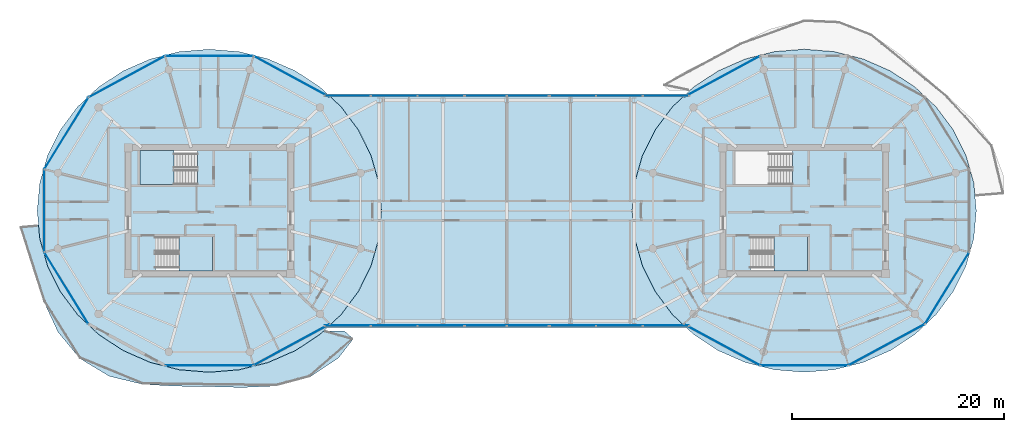
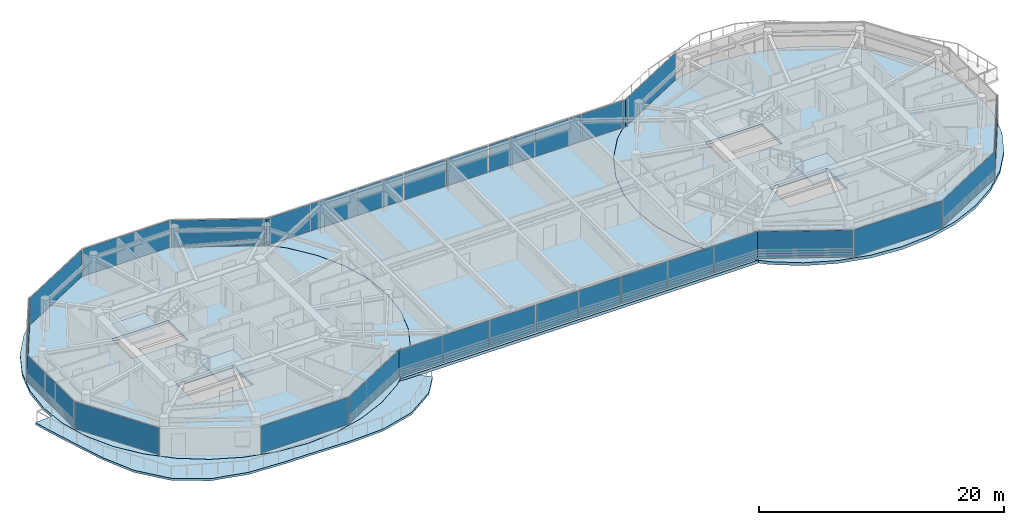
# One storey, part 12 of 23: 29 plates, 7 slabs, 22 elements without a shape of their own.
"""IFC4 building model written with IfcOpenShell, lengths in metres."""

import ifcopenshell
import ifcopenshell.guid

model = None  # the IFC model being written
_history = None  # IfcOwnerHistory: only IFC2X3 demands one
_inside = {}  # id of a spatial element -> (the spatial element, [elements in it])
_under = {}  # id of a project, library or spatial element -> (it, [spatial elements below it])
_declared = {}  # id of a project -> (the project, [libraries it declares])
_typed = {}  # id of a type object -> (the type object, [elements of that type])
_made_of = {}  # id of a material, layer set ... -> (it, [elements and type objects made of it])


def new_model(schema):
    """Start an empty IFC model of exactly this schema.

    Asked for "IFC4X3", IfcOpenShell would pick the latest addendum, in which some entities
    have other attributes; the version numbers below select the first issue.
    IFC2X3 requires an IfcOwnerHistory on every rooted entity: one is made here for all.
    """
    global model, _history
    if schema == "IFC4X3":
        model = ifcopenshell.file(schema_version=(4, 3, 0, 0))
    else:
        model = ifcopenshell.file(schema=schema)
    _inside.clear()
    _under.clear()
    _declared.clear()
    _typed.clear()
    _made_of.clear()
    _history = None
    if model.schema == "IFC2X3":
        org = make("IfcOrganization", Name="unknown")
        user = make(
            "IfcPersonAndOrganization",
            ThePerson=make("IfcPerson", FamilyName="unknown"),
            TheOrganization=org,
        )
        app = make(
            "IfcApplication",
            ApplicationDeveloper=org,
            Version="unknown",
            ApplicationFullName="unknown",
            ApplicationIdentifier="unknown",
        )
        _history = make(
            "IfcOwnerHistory",
            OwningUser=user,
            OwningApplication=app,
            ChangeAction="ADDED",
            CreationDate=0,
        )
    return model


def make(cls, **values):
    """One entity of the class cls with the attributes given. An attribute that is None is left unset."""
    return model.create_entity(
        cls, **{name: value for name, value in values.items() if value is not None}
    )


def rooted(cls, **values):
    """An entity with a GlobalId (a new one), such as an element, a storey or a relation."""
    return make(cls, GlobalId=ifcopenshell.guid.new(), OwnerHistory=_history, **values)


def si_unit(unit_type, name, prefix=None):
    """IfcSIUnit, for example si_unit("LENGTHUNIT", "METRE", prefix="MILLI")."""
    return make("IfcSIUnit", UnitType=unit_type, Prefix=prefix, Name=name)


def assignment(units):
    """IfcUnitAssignment: the units of a project."""
    return None if units is None else make("IfcUnitAssignment", Units=units)


def point(xyz):
    """IfcCartesianPoint."""
    return None if xyz is None else make("IfcCartesianPoint", Coordinates=xyz)


def direction(xyz):
    """IfcDirection."""
    return None if xyz is None else make("IfcDirection", DirectionRatios=xyz)


def frame(location, z_axis=None, x_axis=None):
    """IfcAxis2Placement3D, a coordinate frame: its origin and axes. An axis left out is left unset."""
    return make(
        "IfcAxis2Placement3D",
        Location=point(location),
        Axis=direction(z_axis),
        RefDirection=direction(x_axis),
    )


def frame_2d(location, x_axis=None):
    """IfcAxis2Placement2D, a coordinate frame in the plane: its origin and x axis."""
    return make(
        "IfcAxis2Placement2D", Location=point(location), RefDirection=direction(x_axis)
    )


def origin():
    """The frame at (0, 0, 0) with its axes left unset."""
    return frame((0.0, 0.0, 0.0))


def origin_2d():
    """The frame at (0, 0) in the plane with its x axis left unset."""
    return frame_2d((0.0, 0.0))


def place(relative_to, where):
    """IfcLocalPlacement: puts the frame where relative to a parent placement (None: the world)."""
    return make(
        "IfcLocalPlacement", PlacementRelTo=relative_to, RelativePlacement=where
    )


def context(
    kind, dimensions, precision=None, world=None, true_north=None, identifier=None
):
    """IfcGeometricRepresentationContext, for example the 3D "Model" context."""
    return make(
        "IfcGeometricRepresentationContext",
        ContextIdentifier=identifier,
        ContextType=kind,
        CoordinateSpaceDimension=dimensions,
        Precision=precision,
        WorldCoordinateSystem=world,
        TrueNorth=true_north,
    )


def subcontext(parent, identifier, kind, view, scale=None):
    """IfcGeometricRepresentationSubContext, for example "Body" below "Model"."""
    return make(
        "IfcGeometricRepresentationSubContext",
        ContextIdentifier=identifier,
        ContextType=kind,
        ParentContext=parent,
        TargetScale=scale,
        TargetView=view,
    )


def project(units=None, contexts=None):
    """IfcProject with its units and contexts."""
    return rooted(
        "IfcProject",
        Name="project",
        RepresentationContexts=contexts,
        UnitsInContext=assignment(units),
    )


def spatial(cls, under=None, at=None, **own):
    """A site, building, storey or space (cls), placed at a placement, below another one or the project."""
    s = rooted(cls, ObjectPlacement=at, **own)
    if under is not None:
        _under.setdefault(under.id(), (under, []))[1].append(s)
    return s


def polyline(points):
    """IfcPolyline through the points."""
    return make("IfcPolyline", Points=[point(p) for p in points])


def profile(cls, at=None, kind="AREA", **sizes):
    """A parametric profile (cls). Its sizes go by their IFC names, for example OverallWidth=200.0."""
    return make(cls, ProfileType=kind, Position=at, **sizes)


def rectangle(**sizes):
    """IfcRectangleProfileDef."""
    return profile("IfcRectangleProfileDef", **sizes)


def outline(outer, holes=None, kind="AREA"):
    """IfcArbitraryClosedProfileDef: a profile drawn as a closed curve; with holes, ...WithVoids."""
    if holes is None:
        return make("IfcArbitraryClosedProfileDef", ProfileType=kind, OuterCurve=outer)
    return make(
        "IfcArbitraryProfileDefWithVoids",
        ProfileType=kind,
        OuterCurve=outer,
        InnerCurves=holes,
    )


def extrude(swept, where, along, depth):
    """IfcExtrudedAreaSolid: the profile swept, set in the frame where, extruded along a direction by depth."""
    return make(
        "IfcExtrudedAreaSolid",
        SweptArea=swept,
        Position=where,
        ExtrudedDirection=direction(along),
        Depth=depth,
    )


def shape(context_of_items, identifier, shape_type, items):
    """IfcShapeRepresentation: the items that make up one representation, for example the "Body"."""
    return make(
        "IfcShapeRepresentation",
        ContextOfItems=context_of_items,
        RepresentationIdentifier=identifier,
        RepresentationType=shape_type,
        Items=items,
    )


def source(mapping_origin, context_of_items, identifier, shape_type, items):
    """IfcRepresentationMap: a shape defined once, which mapped items show again and again."""
    return make(
        "IfcRepresentationMap",
        MappingOrigin=mapping_origin,
        MappedRepresentation=shape(context_of_items, identifier, shape_type, items),
    )


def transform(
    local_origin,
    x_axis=None,
    y_axis=None,
    z_axis=None,
    scale=None,
    scale2=None,
    scale3=None,
    uniform=True,
):
    """IfcCartesianTransformationOperator3D, or its non-uniform kind. x_axis, y_axis, z_axis: its Axis1, 2, 3."""
    if uniform:
        return make(
            "IfcCartesianTransformationOperator3D",
            Axis1=direction(x_axis),
            Axis2=direction(y_axis),
            LocalOrigin=point(local_origin),
            Scale=scale,
            Axis3=direction(z_axis),
        )
    return make(
        "IfcCartesianTransformationOperator3DnonUniform",
        Axis1=direction(x_axis),
        Axis2=direction(y_axis),
        LocalOrigin=point(local_origin),
        Scale=scale,
        Axis3=direction(z_axis),
        Scale2=scale2,
        Scale3=scale3,
    )


def mapped(mapping_source, mapping_target):
    """IfcMappedItem: shows the shape of a source again, moved by a transform."""
    return make(
        "IfcMappedItem", MappingSource=mapping_source, MappingTarget=mapping_target
    )


def material(Name=None, Category=None):
    """IfcMaterial."""
    return make("IfcMaterial", Name=Name, Category=Category)


def layer(
    of_material, thickness, ventilated=None, Name=None, Category=None, Priority=None
):
    """IfcMaterialLayer: one layer of a wall or slab, of a material (None: an air gap)."""
    return make(
        "IfcMaterialLayer",
        Material=of_material,
        LayerThickness=thickness,
        IsVentilated=ventilated,
        Name=Name,
        Category=Category,
        Priority=Priority,
    )


def layer_set(layers, Name=None):
    """IfcMaterialLayerSet."""
    return make("IfcMaterialLayerSet", MaterialLayers=layers, LayerSetName=Name)


def made_of(thing, what):
    """Note that an element or type object is made of a material, layer set ...; save() writes the relation."""
    if what is not None:
        _made_of.setdefault(what.id(), (what, []))[1].append(thing)
    return thing


def type_object(cls, material=None, **own):
    """A type object (cls), such as IfcWallType, which elements share."""
    return made_of(rooted(cls, **own), material)


def type_shapes(of_type, sources):
    """Give a type object the sources (RepresentationMaps) that its elements show as mapped items."""
    of_type.RepresentationMaps = sources


def element(
    cls,
    number,
    at=None,
    inside=None,
    cuts=None,
    type_object=None,
    material=None,
    context=None,
    identifier="Body",
    shape_type=None,
    held_by="IfcProductDefinitionShape",
    body=None,
    shapes=None,
    **own,
):
    """One element of the class cls, such as IfcWall. Its Tag is "e" and its number.

    at: its placement. inside: the storey or other place that contains it. cuts: it is an
    opening in that element (IfcRelVoidsElement). A single representation is given by context,
    identifier, shape_type and body (its items); several are given by shapes. held_by: the class
    of the entity that holds the representations. save() writes the other relations.
    """
    e = rooted(cls, Tag="e%d" % number, ObjectPlacement=at, **own)
    if body is not None:
        shapes = [shape(context, identifier, shape_type, body)]
    if shapes is not None:
        e.Representation = make(held_by, Representations=shapes)
    if inside is not None:
        _inside.setdefault(inside.id(), (inside, []))[1].append(e)
    if cuts is not None:
        rooted(
            "IfcRelVoidsElement", RelatingBuildingElement=cuts, RelatedOpeningElement=e
        )
    if type_object is not None:
        _typed.setdefault(type_object.id(), (type_object, []))[1].append(e)
    return made_of(e, material)


def aggregate(whole, parts):
    """IfcRelAggregates: a whole, such as a stair, and the parts it consists of."""
    return rooted("IfcRelAggregates", RelatingObject=whole, RelatedObjects=parts)


def save(model, path):
    """Write the relations noted so far, then the file.

    IfcRelAggregates (storeys below a building ...), IfcRelContainedInSpatialStructure (elements
    in a storey), IfcRelDefinesByType, IfcRelAssociatesMaterial and IfcRelDeclares: one each for
    every whole, place, type object, material and project.
    """
    for whole, parts in _under.values():
        aggregate(whole, parts)
    for where, things in _inside.values():
        rooted(
            "IfcRelContainedInSpatialStructure",
            RelatedElements=things,
            RelatingStructure=where,
        )
    for kind, things in _typed.values():
        rooted("IfcRelDefinesByType", RelatedObjects=things, RelatingType=kind)
    for what, things in _made_of.values():
        rooted("IfcRelAssociatesMaterial", RelatedObjects=things, RelatingMaterial=what)
    for by, libraries in _declared.values():
        rooted("IfcRelDeclares", RelatingContext=by, RelatedDefinitions=libraries)
    model.write(path)


model = new_model("IFC4")

# Units and contexts
model_context = context("Model", 3, precision=1e-05, world=origin(), true_north=direction((0.0, 1.0)))
body_context = subcontext(model_context, "Body", "Model", "MODEL_VIEW")
ifc_project = project(units=[si_unit("LENGTHUNIT", "METRE"), si_unit("AREAUNIT", "SQUARE_METRE"), si_unit("VOLUMEUNIT", "CUBIC_METRE"), si_unit("PLANEANGLEUNIT", "RADIAN"), si_unit("MASSUNIT", "GRAM", prefix="KILO")], contexts=[model_context])

# Site, building, storey
site_placement = place(None, origin())
site = spatial("IfcSite", under=ifc_project, at=site_placement, CompositionType="ELEMENT")
building_placement = place(site_placement, origin())
building = spatial("IfcBuilding", under=site, at=building_placement, Name="Norrkilde Senior Care Towers", CompositionType="ELEMENT")
storey_placement = place(building_placement, frame((0.0, 0.0, 229.14990234375)))
storey = spatial("IfcBuildingStorey", under=building, at=storey_placement, Name="L71", CompositionType="ELEMENT", Elevation=229.14990234375)

# Slabs
ifc_material_1 = material(Name="Concrete C50/60", Category="concrete")
ifc_layer_1 = layer(ifc_material_1, 0.2900390625)
ifc_layer_set_1 = layer_set([ifc_layer_1], Name="Concrete C50/60")
slab_type_1 = type_object("IfcSlabType", Name="Bridge Floor Slab 290", PredefinedType="FLOOR", material=ifc_layer_set_1)
slab_1_placement = place(storey_placement, frame((0.0, 0.0, -0.289794921875)))
element("IfcSlab", 1, at=slab_1_placement, inside=storey, type_object=slab_type_1, Name="L71 Drum W Structural Floor Slab", PredefinedType="FLOOR", context=body_context, shape_type="SweptSolid", body=[
    extrude(outline(polyline([(-12.777099609375, -5.19873046875), (-13.970458984375, -7.60009765625), (-15.590087890625, -9.770263671875), (-17.5869140625, -11.643798828125), (-19.89990234375, -13.16357421875), (-22.459228515625, -14.283447265625), (-25.18701171875, -14.968994140625), (-28.0, -15.199951171875), (-30.81298828125, -14.968994140625), (-33.540771484375, -14.283447265625), (-36.10009765625, -13.16357421875), (-38.4130859375, -11.643798828125), (-40.409912109375, -9.770263671875), (-42.029541015625, -7.60009765625), (-43.222900390625, -5.19873046875), (-43.953857421875, -2.639404296875), (-44.199951171875, 0.0), (-43.953857421875, 2.639404296875), (-43.222900390625, 5.19873046875), (-42.029541015625, 7.60009765625), (-40.409912109375, 9.770263671875), (-38.4130859375, 11.643798828125), (-36.10009765625, 13.16357421875), (-33.540771484375, 14.283447265625), (-30.81298828125, 14.968994140625), (-28.0, 15.199951171875), (-25.18701171875, 14.968994140625), (-22.459228515625, 14.283447265625), (-19.89990234375, 13.16357421875), (-17.5869140625, 11.643798828125), (-15.590087890625, 9.770263671875), (-13.970458984375, 7.60009765625), (-12.777099609375, 5.19873046875), (-12.046142578125, 2.639404296875), (-11.800048828125, 0.0), (-12.046142578125, -2.639404296875), (-12.777099609375, -5.19873046875)]), holes=[polyline([(-34.48193359375, 2.468017578125), (-29.117919921875, 2.468017578125), (-29.117919921875, 5.68994140625), (-34.48193359375, 5.68994140625), (-34.48193359375, 2.468017578125)]), polyline([(-27.718017578125, -5.68994140625), (-27.718017578125, -2.468017578125), (-33.08203125, -2.468017578125), (-33.08203125, -5.68994140625), (-27.718017578125, -5.68994140625)])]), origin(), (0.0, 0.0, 1.0), 0.289794921875),
])
slab_2_placement = place(storey_placement, frame((0.0, 0.0, -0.289794921875)))
element("IfcSlab", 2, at=slab_2_placement, inside=storey, type_object=slab_type_1, Name="L71 Drum E Structural Floor Slab", PredefinedType="FLOOR", context=body_context, shape_type="SweptSolid", body=[
    extrude(outline(polyline([(43.222900390625, -5.19873046875), (42.029541015625, -7.60009765625), (40.409912109375, -9.770263671875), (38.4130859375, -11.643798828125), (36.10009765625, -13.16357421875), (33.540771484375, -14.283447265625), (30.81298828125, -14.968994140625), (28.0, -15.199951171875), (25.18701171875, -14.968994140625), (22.459228515625, -14.283447265625), (19.89990234375, -13.16357421875), (17.5869140625, -11.643798828125), (15.590087890625, -9.770263671875), (13.970458984375, -7.60009765625), (12.777099609375, -5.19873046875), (12.046142578125, -2.639404296875), (11.800048828125, 0.0), (12.046142578125, 2.639404296875), (12.777099609375, 5.19873046875), (13.970458984375, 7.60009765625), (15.590087890625, 9.770263671875), (17.5869140625, 11.643798828125), (19.89990234375, 13.16357421875), (22.459228515625, 14.283447265625), (25.18701171875, 14.968994140625), (28.0, 15.199951171875), (30.81298828125, 14.968994140625), (33.540771484375, 14.283447265625), (36.10009765625, 13.16357421875), (38.4130859375, 11.643798828125), (40.409912109375, 9.770263671875), (42.029541015625, 7.60009765625), (43.222900390625, 5.19873046875), (43.953857421875, 2.639404296875), (44.199951171875, 0.0), (43.953857421875, -2.639404296875), (43.222900390625, -5.19873046875)]), holes=[polyline([(21.51806640625, 2.468017578125), (26.882080078125, 2.468017578125), (26.882080078125, 5.68994140625), (21.51806640625, 5.68994140625), (21.51806640625, 2.468017578125)]), polyline([(28.281982421875, -5.68994140625), (28.281982421875, -2.468017578125), (22.91796875, -2.468017578125), (22.91796875, -5.68994140625), (28.281982421875, -5.68994140625)])]), origin(), (0.0, 0.0, 1.0), 0.289794921875),
])
slab_3_placement = place(storey_placement, frame((0.0, 0.0, -0.289794921875)))
element("IfcSlab", 3, at=slab_3_placement, inside=storey, type_object=slab_type_1, Name="L71 Sky-Gate Bridge Floor Slab", PredefinedType="FLOOR", context=body_context, shape_type="SweptSolid", body=[
    extrude(outline(polyline([(16.893310546875, 11.0), (15.586669921875, 9.77392578125), (15.58642578125, 9.773681640625), (15.586181640625, 9.7734375), (13.96630859375, 7.60302734375), (13.966064453125, 7.6025390625), (13.9658203125, 7.602294921875), (12.7724609375, 5.200927734375), (12.772216796875, 5.200439453125), (12.772216796875, 5.2001953125), (12.041259765625, 2.640869140625), (12.041259765625, 2.640380859375), (12.041015625, 2.639892578125), (11.794921875, 0.00048828125), (11.794921875, 0.0), (11.794921875, -0.00048828125), (12.041015625, -2.639892578125), (12.041259765625, -2.640380859375), (12.041259765625, -2.640869140625), (12.772216796875, -5.2001953125), (12.772216796875, -5.200439453125), (12.7724609375, -5.200927734375), (13.9658203125, -7.602294921875), (13.966064453125, -7.6025390625), (13.96630859375, -7.60302734375), (15.586181640625, -9.7734375), (15.58642578125, -9.773681640625), (15.586669921875, -9.77392578125), (16.893310546875, -11.0), (-16.893310546875, -11.0), (-15.586669921875, -9.77392578125), (-15.58642578125, -9.773681640625), (-15.586181640625, -9.7734375), (-13.96630859375, -7.60302734375), (-13.966064453125, -7.6025390625), (-13.9658203125, -7.602294921875), (-12.7724609375, -5.200927734375), (-12.772216796875, -5.200439453125), (-12.772216796875, -5.2001953125), (-12.041259765625, -2.640869140625), (-12.041259765625, -2.640380859375), (-12.041015625, -2.639892578125), (-11.794921875, -0.00048828125), (-11.794921875, 0.0), (-11.794921875, 0.00048828125), (-12.041015625, 2.639892578125), (-12.041259765625, 2.640380859375), (-12.041259765625, 2.640869140625), (-12.772216796875, 5.2001953125), (-12.772216796875, 5.200439453125), (-12.7724609375, 5.200927734375), (-13.9658203125, 7.602294921875), (-13.966064453125, 7.6025390625), (-13.96630859375, 7.60302734375), (-15.586181640625, 9.7734375), (-15.58642578125, 9.773681640625), (-15.586669921875, 9.77392578125), (-16.893310546875, 11.0), (16.893310546875, 11.0)])), origin(), (0.0, 0.0, 1.0), 0.289794921875),
])
ifc_layer_2 = layer(ifc_material_1, 0.215087890625)
ifc_layer_set_2 = layer_set([ifc_layer_2], Name="Concrete C50/60")
slab_type_2 = type_object("IfcSlabType", Name="Sinusoidal Balcony Ribbon Slab 215", PredefinedType="FLOOR", material=ifc_layer_set_2)
slab_4_placement = place(storey_placement, frame((0.0, 0.0, -0.21484375)))
element("IfcSlab", 4, at=slab_4_placement, inside=storey, type_object=slab_type_2, Name="L71 Drum W Swirling Senior Balcony 1", PredefinedType="FLOOR", context=body_context, shape_type="SweptSolid", body=[
    extrude(outline(polyline([(-21.703369140625, -16.496337890625), (-24.910888671875, -16.637939453125), (-28.0, -16.55419921875), (-31.06884765625, -16.515625), (-34.244873046875, -16.345458984375), (-37.410888671875, -15.583251953125), (-40.19287109375, -13.904296875), (-42.2470703125, -11.413330078125), (-43.571044921875, -8.54833984375), (-44.509521484375, -5.69775390625), (-45.410888671875, -2.913330078125), (-45.818359375, -1.48876953125), (-44.079833984375, -1.343505859375), (-43.958740234375, -2.640380859375), (-43.227783203125, -5.200439453125), (-42.033935546875, -7.6025390625), (-40.413818359375, -9.773681640625), (-38.416259765625, -11.647705078125), (-36.1025390625, -13.16796875), (-33.54248046875, -14.2880859375), (-30.81396484375, -14.97412109375), (-28.0, -15.205078125), (-25.18603515625, -14.97412109375), (-22.45751953125, -14.2880859375), (-19.8974609375, -13.16796875), (-17.583740234375, -11.647705078125), (-17.213134765625, -11.300048828125), (-15.310546875, -11.300048828125), (-14.45068359375, -12.06591796875), (-15.841552734375, -13.86083984375), (-18.550537109375, -15.654541015625), (-21.703369140625, -16.496337890625)])), origin(), (0.0, 0.0, 1.0), 0.21484375),
])

# Stair, slab
ifc_material_2 = material(Name="Concrete C45/55", Category="concrete")
stair_type = type_object("IfcStairType", Name="Core Protected Dogleg Stair Typical 3050", PredefinedType="HALF_TURN_STAIR", material=ifc_material_2)
stair_1_placement = place(storey_placement, origin())
stair_1 = element("IfcStair", 5, at=stair_1_placement, inside=storey, type_object=stair_type, Name="L71 Protected Core Stair W1", PredefinedType="HALF_TURN_STAIR")
ifc_layer_3 = layer(ifc_material_2, 0.199951171875)
ifc_layer_set_3 = layer_set([ifc_layer_3], Name="Concrete C45/55")
slab_type_3 = type_object("IfcSlabType", Name="Stair Landing Slab 200", PredefinedType="LANDING", material=ifc_layer_set_3)
slab_5_placement = place(storey_placement, frame((0.0, 0.0, 1.3251953125)))
slab_5 = element("IfcSlab", 6, at=slab_5_placement, type_object=slab_type_3, Name="ST-W1 landing 1", PredefinedType="LANDING", context=body_context, shape_type="SweptSolid", body=[
    extrude(outline(polyline([(-31.340087890625, 5.68994140625), (-34.5, 5.68994140625), (-34.5, 2.449951171875), (-31.340087890625, 2.449951171875), (-31.340087890625, 5.68994140625)])), origin(), (0.0, 0.0, 1.0), 0.199951171875),
])
aggregate(stair_1, [slab_5])

stair_2_placement = place(storey_placement, origin())
stair_2 = element("IfcStair", 7, at=stair_2_placement, inside=storey, type_object=stair_type, Name="L71 Protected Core Stair W2", PredefinedType="HALF_TURN_STAIR")
slab_6_placement = place(storey_placement, frame((0.0, 0.0, 1.3251953125)))
slab_6 = element("IfcSlab", 8, at=slab_6_placement, type_object=slab_type_3, Name="ST-W2 landing 1", PredefinedType="LANDING", context=body_context, shape_type="SweptSolid", body=[
    extrude(outline(polyline([(-30.860107421875, -5.68994140625), (-27.699951171875, -5.68994140625), (-27.699951171875, -2.449951171875), (-30.860107421875, -2.449951171875), (-30.860107421875, -5.68994140625)])), origin(), (0.0, 0.0, 1.0), 0.199951171875),
])
aggregate(stair_2, [slab_6])

stair_3_placement = place(storey_placement, origin())
stair_3 = element("IfcStair", 9, at=stair_3_placement, inside=storey, type_object=stair_type, Name="L71 Protected Core Stair E2", PredefinedType="HALF_TURN_STAIR")
slab_7_placement = place(storey_placement, frame((0.0, 0.0, 1.3251953125)))
slab_7 = element("IfcSlab", 10, at=slab_7_placement, type_object=slab_type_3, Name="ST-E2 landing 1", PredefinedType="LANDING", context=body_context, shape_type="SweptSolid", body=[
    extrude(outline(polyline([(25.139892578125, -5.68994140625), (28.300048828125, -5.68994140625), (28.300048828125, -2.449951171875), (25.139892578125, -2.449951171875), (25.139892578125, -5.68994140625)])), origin(), (0.0, 0.0, 1.0), 0.199951171875),
])
aggregate(stair_3, [slab_7])

# Curtain wall, plate
ifc_material_3 = material(Name="Triple Low-E Insulated Glazing", Category="glass")
ifc_layer_4 = layer(ifc_material_3, 0.18505859375)
ifc_layer_set_4 = layer_set([ifc_layer_4], Name="Triple Low-E Insulated Glazing")
curtain_wall_type_1 = type_object("IfcCurtainWallType", Name="CW6 Zone 4 Crown Pavilion Curtain Wall", PredefinedType="NOTDEFINED", material=ifc_layer_set_4)
curtain_wall_1_placement = place(storey_placement, origin())
curtain_wall_1 = element("IfcCurtainWall", 11, at=curtain_wall_1_placement, inside=storey, type_object=curtain_wall_type_1, Name="L71 Drum W Curtain Wall 04", PredefinedType="NOTDEFINED")
ifc_layer_5 = layer(ifc_material_3, 0.035888671875)
ifc_layer_set_5 = layer_set([ifc_layer_5], Name="Triple Low-E Insulated Glazing")
plate_type = type_object("IfcPlateType", Name="Triple Low-E Vision Curtain Panel 36", PredefinedType="CURTAIN_PANEL", material=ifc_layer_set_5)
shared_shape_1 = source(origin(), body_context, "Body", "SweptSolid", [
    extrude(rectangle(XDim=7.80859375, YDim=0.035888671875, at=origin_2d()), origin(), (0.0, 0.0, 1.0), 2.68994140625),
])
plate_1_placement = place(storey_placement, frame((-41.451171875, 7.282958984375, 0.06005859375), z_axis=(0.0, 0.0, 1.0), x_axis=(0.524252726748, 0.851562727283, 0.0)))
plate_1 = element("IfcPlate", 12, at=plate_1_placement, type_object=plate_type, Name="CW-6 panel 1.1", PredefinedType="CURTAIN_PANEL", context=body_context, shape_type="MappedRepresentation", body=[
    mapped(shared_shape_1, transform((0.0, 0.0, 0.0), x_axis=(1.0, 0.0, 0.0), y_axis=(0.0, 1.0, 0.0), z_axis=(0.0, 0.0, 1.0), scale=1.0)),
])
aggregate(curtain_wall_1, [plate_1])

curtain_wall_2_placement = place(storey_placement, origin())
curtain_wall_2 = element("IfcCurtainWall", 13, at=curtain_wall_2_placement, inside=storey, type_object=curtain_wall_type_1, Name="L71 Drum W Curtain Wall 06", PredefinedType="NOTDEFINED")
plate_2_placement = place(storey_placement, frame((-41.451171875, -7.282958984375, 0.06005859375), z_axis=(0.0, 0.0, 1.0), x_axis=(-0.524252726748, 0.851562727283, 0.0)))
plate_2 = element("IfcPlate", 14, at=plate_2_placement, type_object=plate_type, Name="CW-6 panel 1.1", PredefinedType="CURTAIN_PANEL", context=body_context, shape_type="MappedRepresentation", body=[
    mapped(shared_shape_1, transform((0.0, 0.0, 0.0), x_axis=(1.0, 0.0, 0.0), y_axis=(0.0, 1.0, 0.0), z_axis=(0.0, 0.0, 1.0), scale=1.0)),
])
aggregate(curtain_wall_2, [plate_2])

curtain_wall_3_placement = place(storey_placement, origin())
curtain_wall_3 = element("IfcCurtainWall", 15, at=curtain_wall_3_placement, inside=storey, type_object=curtain_wall_type_1, Name="L71 Drum E Curtain Wall 10", PredefinedType="NOTDEFINED")
plate_3_placement = place(storey_placement, frame((41.451171875, -7.282958984375, 0.06005859375), z_axis=(0.0, 0.0, 1.0), x_axis=(-0.524252726748, -0.851562727283, 0.0)))
plate_3 = element("IfcPlate", 16, at=plate_3_placement, type_object=plate_type, Name="CW-6 panel 1.1", PredefinedType="CURTAIN_PANEL", context=body_context, shape_type="MappedRepresentation", body=[
    mapped(shared_shape_1, transform((0.0, 0.0, 0.0), x_axis=(1.0, 0.0, 0.0), y_axis=(0.0, 1.0, 0.0), z_axis=(0.0, 0.0, 1.0), scale=1.0)),
])
aggregate(curtain_wall_3, [plate_3])

curtain_wall_4_placement = place(storey_placement, origin())
curtain_wall_4 = element("IfcCurtainWall", 17, at=curtain_wall_4_placement, inside=storey, type_object=curtain_wall_type_1, Name="L71 Drum W Curtain Wall 02", PredefinedType="NOTDEFINED")
shared_shape_2 = source(origin(), body_context, "Body", "SweptSolid", [
    extrude(rectangle(XDim=8.193603515625, YDim=0.035888671875, at=origin_2d()), origin(), (0.0, 0.0, 1.0), 2.68994140625),
])
plate_4_placement = place(storey_placement, frame((-28.0, 14.566162109375, 0.06005859375), z_axis=(0.0, 0.0, 1.0), x_axis=(1.0, 0.0, 0.0)))
plate_4 = element("IfcPlate", 18, at=plate_4_placement, type_object=plate_type, Name="CW-6 panel 1.1", PredefinedType="CURTAIN_PANEL", context=body_context, shape_type="MappedRepresentation", body=[
    mapped(shared_shape_2, transform((0.0, 0.0, 0.0), x_axis=(1.0, 0.0, 0.0), y_axis=(0.0, 1.0, 0.0), z_axis=(0.0, 0.0, 1.0), scale=1.0)),
])
aggregate(curtain_wall_4, [plate_4])

curtain_wall_5_placement = place(storey_placement, origin())
curtain_wall_5 = element("IfcCurtainWall", 19, at=curtain_wall_5_placement, inside=storey, type_object=curtain_wall_type_1, Name="L71 Drum W Curtain Wall 08", PredefinedType="NOTDEFINED")
plate_5_placement = place(storey_placement, frame((-28.0, -14.566162109375, 0.06005859375), z_axis=(0.0, 0.0, 1.0), x_axis=(-1.0, 0.0, 0.0)))
plate_5 = element("IfcPlate", 20, at=plate_5_placement, type_object=plate_type, Name="CW-6 panel 1.1", PredefinedType="CURTAIN_PANEL", context=body_context, shape_type="MappedRepresentation", body=[
    mapped(shared_shape_2, transform((0.0, 0.0, 0.0), x_axis=(1.0, 0.0, 0.0), y_axis=(0.0, 1.0, 0.0), z_axis=(0.0, 0.0, 1.0), scale=1.0)),
])
aggregate(curtain_wall_5, [plate_5])

curtain_wall_6_placement = place(storey_placement, origin())
curtain_wall_6 = element("IfcCurtainWall", 21, at=curtain_wall_6_placement, inside=storey, type_object=curtain_wall_type_1, Name="L71 Drum E Curtain Wall 08", PredefinedType="NOTDEFINED")
plate_6_placement = place(storey_placement, frame((28.0, -14.566162109375, 0.06005859375), z_axis=(0.0, 0.0, 1.0), x_axis=(-1.0, 0.0, 0.0)))
plate_6 = element("IfcPlate", 22, at=plate_6_placement, type_object=plate_type, Name="CW-6 panel 1.1", PredefinedType="CURTAIN_PANEL", context=body_context, shape_type="MappedRepresentation", body=[
    mapped(shared_shape_2, transform((0.0, 0.0, 0.0), x_axis=(1.0, 0.0, 0.0), y_axis=(0.0, 1.0, 0.0), z_axis=(0.0, 0.0, 1.0), scale=1.0)),
])
aggregate(curtain_wall_6, [plate_6])

curtain_wall_7_placement = place(storey_placement, origin())
curtain_wall_7 = element("IfcCurtainWall", 23, at=curtain_wall_7_placement, inside=storey, type_object=curtain_wall_type_1, Name="L71 Drum W Curtain Wall 01", PredefinedType="NOTDEFINED")
shared_shape_3 = source(origin(), body_context, "Body", "SweptSolid", [
    extrude(rectangle(XDim=8.0673828125, YDim=0.035888671875, at=origin_2d()), origin(), (0.0, 0.0, 1.0), 2.68994140625),
])
plate_7_placement = place(storey_placement, frame((-20.23388671875, 12.61474609375, 0.06005859375), z_axis=(0.0, 0.0, 1.0), x_axis=(0.879373455772, -0.476132676136, 0.0)))
plate_7 = element("IfcPlate", 24, at=plate_7_placement, type_object=plate_type, Name="CW-6 panel 1.1", PredefinedType="CURTAIN_PANEL", context=body_context, shape_type="MappedRepresentation", body=[
    mapped(shared_shape_3, transform((0.0, 0.0, 0.0), x_axis=(1.0, 0.0, 0.0), y_axis=(0.0, 1.0, 0.0), z_axis=(0.0, 0.0, 1.0), scale=1.0)),
])
aggregate(curtain_wall_7, [plate_7])

curtain_wall_8_placement = place(storey_placement, origin())
curtain_wall_8 = element("IfcCurtainWall", 25, at=curtain_wall_8_placement, inside=storey, type_object=curtain_wall_type_1, Name="L71 Drum W Curtain Wall 03", PredefinedType="NOTDEFINED")
plate_8_placement = place(storey_placement, frame((-35.76611328125, 12.61474609375, 0.06005859375), z_axis=(0.0, 0.0, 1.0), x_axis=(0.879373455772, 0.476132676136, 0.0)))
plate_8 = element("IfcPlate", 26, at=plate_8_placement, type_object=plate_type, Name="CW-6 panel 1.1", PredefinedType="CURTAIN_PANEL", context=body_context, shape_type="MappedRepresentation", body=[
    mapped(shared_shape_3, transform((0.0, 0.0, 0.0), x_axis=(1.0, 0.0, 0.0), y_axis=(0.0, 1.0, 0.0), z_axis=(0.0, 0.0, 1.0), scale=1.0)),
])
aggregate(curtain_wall_8, [plate_8])

curtain_wall_9_placement = place(storey_placement, origin())
curtain_wall_9 = element("IfcCurtainWall", 27, at=curtain_wall_9_placement, inside=storey, type_object=curtain_wall_type_1, Name="L71 Drum W Curtain Wall 09", PredefinedType="NOTDEFINED")
plate_9_placement = place(storey_placement, frame((-20.23388671875, -12.61474609375, 0.06005859375), z_axis=(0.0, 0.0, 1.0), x_axis=(-0.879373455772, -0.476132676136, 0.0)))
plate_9 = element("IfcPlate", 28, at=plate_9_placement, type_object=plate_type, Name="CW-6 panel 1.1", PredefinedType="CURTAIN_PANEL", context=body_context, shape_type="MappedRepresentation", body=[
    mapped(shared_shape_3, transform((0.0, 0.0, 0.0), x_axis=(1.0, 0.0, 0.0), y_axis=(0.0, 1.0, 0.0), z_axis=(0.0, 0.0, 1.0), scale=1.0)),
])
aggregate(curtain_wall_9, [plate_9])

curtain_wall_10_placement = place(storey_placement, origin())
curtain_wall_10 = element("IfcCurtainWall", 29, at=curtain_wall_10_placement, inside=storey, type_object=curtain_wall_type_1, Name="L71 Drum E Curtain Wall 03", PredefinedType="NOTDEFINED")
plate_10_placement = place(storey_placement, frame((20.23388671875, 12.61474609375, 0.06005859375), z_axis=(0.0, 0.0, 1.0), x_axis=(0.879373455772, 0.476132676136, 0.0)))
plate_10 = element("IfcPlate", 30, at=plate_10_placement, type_object=plate_type, Name="CW-6 panel 1.1", PredefinedType="CURTAIN_PANEL", context=body_context, shape_type="MappedRepresentation", body=[
    mapped(shared_shape_3, transform((0.0, 0.0, 0.0), x_axis=(1.0, 0.0, 0.0), y_axis=(0.0, 1.0, 0.0), z_axis=(0.0, 0.0, 1.0), scale=1.0)),
])
aggregate(curtain_wall_10, [plate_10])

curtain_wall_11_placement = place(storey_placement, origin())
curtain_wall_11 = element("IfcCurtainWall", 31, at=curtain_wall_11_placement, inside=storey, type_object=curtain_wall_type_1, Name="L71 Drum E Curtain Wall 07", PredefinedType="NOTDEFINED")
plate_11_placement = place(storey_placement, frame((20.23388671875, -12.61474609375, 0.06005859375), z_axis=(0.0, 0.0, 1.0), x_axis=(-0.879373455772, 0.476132676136, 0.0)))
plate_11 = element("IfcPlate", 32, at=plate_11_placement, type_object=plate_type, Name="CW-6 panel 1.1", PredefinedType="CURTAIN_PANEL", context=body_context, shape_type="MappedRepresentation", body=[
    mapped(shared_shape_3, transform((0.0, 0.0, 0.0), x_axis=(1.0, 0.0, 0.0), y_axis=(0.0, 1.0, 0.0), z_axis=(0.0, 0.0, 1.0), scale=1.0)),
])
aggregate(curtain_wall_11, [plate_11])

curtain_wall_12_placement = place(storey_placement, origin())
curtain_wall_12 = element("IfcCurtainWall", 33, at=curtain_wall_12_placement, inside=storey, type_object=curtain_wall_type_1, Name="L71 Drum E Curtain Wall 09", PredefinedType="NOTDEFINED")
plate_12_placement = place(storey_placement, frame((35.76611328125, -12.61474609375, 0.06005859375), z_axis=(0.0, 0.0, 1.0), x_axis=(-0.879373455772, -0.476132676136, 0.0)))
plate_12 = element("IfcPlate", 34, at=plate_12_placement, type_object=plate_type, Name="CW-6 panel 1.1", PredefinedType="CURTAIN_PANEL", context=body_context, shape_type="MappedRepresentation", body=[
    mapped(shared_shape_3, transform((0.0, 0.0, 0.0), x_axis=(1.0, 0.0, 0.0), y_axis=(0.0, 1.0, 0.0), z_axis=(0.0, 0.0, 1.0), scale=1.0)),
])
aggregate(curtain_wall_12, [plate_12])

curtain_wall_13_placement = place(storey_placement, origin())
curtain_wall_13 = element("IfcCurtainWall", 35, at=curtain_wall_13_placement, inside=storey, type_object=curtain_wall_type_1, Name="L71 Drum W Curtain Wall 05", PredefinedType="NOTDEFINED")
shared_shape_4 = source(origin(), body_context, "Body", "SweptSolid", [
    extrude(rectangle(XDim=7.676025390625, YDim=0.035888671875, at=origin_2d()), origin(), (0.0, 0.0, 1.0), 2.68994140625),
])
plate_13_placement = place(storey_placement, frame((-43.531982421875, 0.0, 0.06005859375), z_axis=(0.0, 0.0, 1.0), x_axis=(0.0, 1.0, 0.0)))
plate_13 = element("IfcPlate", 36, at=plate_13_placement, type_object=plate_type, Name="CW-6 panel 1.1", PredefinedType="CURTAIN_PANEL", context=body_context, shape_type="MappedRepresentation", body=[
    mapped(shared_shape_4, transform((0.0, 0.0, 0.0), x_axis=(1.0, 0.0, 0.0), y_axis=(0.0, 1.0, 0.0), z_axis=(0.0, 0.0, 1.0), scale=1.0)),
])
aggregate(curtain_wall_13, [plate_13])

# Curtain wall, plates
ifc_layer_6 = layer(ifc_material_3, 0.2099609375)
ifc_layer_set_6 = layer_set([ifc_layer_6], Name="Triple Low-E Insulated Glazing")
curtain_wall_type_2 = type_object("IfcCurtainWallType", Name="CW5 Sky-Gate Bridge Curtain Wall", PredefinedType="NOTDEFINED", material=ifc_layer_set_6)
curtain_wall_14_placement = place(storey_placement, origin())
curtain_wall_14 = element("IfcCurtainWall", 37, at=curtain_wall_14_placement, inside=storey, type_object=curtain_wall_type_2, Name="L71 Sky-Gate Bridge North Curtain Wall 1", PredefinedType="NOTDEFINED")
shared_shape_5 = source(origin(), body_context, "Body", "SweptSolid", [
    extrude(rectangle(XDim=4.294921875, YDim=0.035888671875, at=origin_2d()), origin(), (0.0, 0.0, 1.0), 2.679931640625),
])
plate_14_placement = place(storey_placement, frame((-14.982421875, 10.820068359375, 0.06494140625), z_axis=(0.0, 0.0, 1.0), x_axis=(1.0, 0.0, 0.0)))
plate_14 = element("IfcPlate", 38, at=plate_14_placement, type_object=plate_type, Name="CW-5 panel 1.1", PredefinedType="CURTAIN_PANEL", context=body_context, shape_type="MappedRepresentation", body=[
    mapped(shared_shape_5, transform((0.0, 0.0, 0.0), x_axis=(1.0, 0.0, 0.0), y_axis=(0.0, 1.0, 0.0), z_axis=(0.0, 0.0, 1.0), scale=1.0)),
])
plate_15_placement = place(storey_placement, frame((-6.217529296875, 10.820068359375, 0.06494140625), z_axis=(0.0, 0.0, 1.0), x_axis=(1.0, 0.0, 0.0)))
plate_15 = element("IfcPlate", 39, at=plate_15_placement, type_object=plate_type, Name="CW-5 panel 3.1", PredefinedType="CURTAIN_PANEL", context=body_context, shape_type="MappedRepresentation", body=[
    mapped(shared_shape_5, transform((0.0, 0.0, 0.0), x_axis=(1.0, 0.0, 0.0), y_axis=(0.0, 1.0, 0.0), z_axis=(0.0, 0.0, 1.0), scale=1.0)),
])

curtain_wall_15_placement = place(storey_placement, origin())
curtain_wall_15 = element("IfcCurtainWall", 40, at=curtain_wall_15_placement, inside=storey, type_object=curtain_wall_type_2, Name="L71 Sky-Gate Bridge North Curtain Wall 3", PredefinedType="NOTDEFINED")
plate_16_placement = place(storey_placement, frame((6.217529296875, 10.820068359375, 0.06494140625), z_axis=(0.0, 0.0, 1.0), x_axis=(1.0, 0.0, 0.0)))
plate_16 = element("IfcPlate", 41, at=plate_16_placement, type_object=plate_type, Name="CW-5 panel 1.1", PredefinedType="CURTAIN_PANEL", context=body_context, shape_type="MappedRepresentation", body=[
    mapped(shared_shape_5, transform((0.0, 0.0, 0.0), x_axis=(1.0, 0.0, 0.0), y_axis=(0.0, 1.0, 0.0), z_axis=(0.0, 0.0, 1.0), scale=1.0)),
])
plate_17_placement = place(storey_placement, frame((14.982421875, 10.820068359375, 0.06494140625), z_axis=(0.0, 0.0, 1.0), x_axis=(1.0, 0.0, 0.0)))
plate_17 = element("IfcPlate", 42, at=plate_17_placement, type_object=plate_type, Name="CW-5 panel 3.1", PredefinedType="CURTAIN_PANEL", context=body_context, shape_type="MappedRepresentation", body=[
    mapped(shared_shape_5, transform((0.0, 0.0, 0.0), x_axis=(1.0, 0.0, 0.0), y_axis=(0.0, 1.0, 0.0), z_axis=(0.0, 0.0, 1.0), scale=1.0)),
])

curtain_wall_16_placement = place(storey_placement, origin())
curtain_wall_16 = element("IfcCurtainWall", 43, at=curtain_wall_16_placement, inside=storey, type_object=curtain_wall_type_2, Name="L71 Sky-Gate Bridge South Curtain Wall 1", PredefinedType="NOTDEFINED")
plate_18_placement = place(storey_placement, frame((14.982421875, -10.820068359375, 0.06494140625), z_axis=(0.0, 0.0, 1.0), x_axis=(-1.0, 0.0, 0.0)))
plate_18 = element("IfcPlate", 44, at=plate_18_placement, type_object=plate_type, Name="CW-5 panel 1.1", PredefinedType="CURTAIN_PANEL", context=body_context, shape_type="MappedRepresentation", body=[
    mapped(shared_shape_5, transform((0.0, 0.0, 0.0), x_axis=(1.0, 0.0, 0.0), y_axis=(0.0, 1.0, 0.0), z_axis=(0.0, 0.0, 1.0), scale=1.0)),
])
plate_19_placement = place(storey_placement, frame((6.217529296875, -10.820068359375, 0.06494140625), z_axis=(0.0, 0.0, 1.0), x_axis=(-1.0, 0.0, 0.0)))
plate_19 = element("IfcPlate", 45, at=plate_19_placement, type_object=plate_type, Name="CW-5 panel 3.1", PredefinedType="CURTAIN_PANEL", context=body_context, shape_type="MappedRepresentation", body=[
    mapped(shared_shape_5, transform((0.0, 0.0, 0.0), x_axis=(1.0, 0.0, 0.0), y_axis=(0.0, 1.0, 0.0), z_axis=(0.0, 0.0, 1.0), scale=1.0)),
])

curtain_wall_17_placement = place(storey_placement, origin())
curtain_wall_17 = element("IfcCurtainWall", 46, at=curtain_wall_17_placement, inside=storey, type_object=curtain_wall_type_2, Name="L71 Sky-Gate Bridge South Curtain Wall 3", PredefinedType="NOTDEFINED")
plate_20_placement = place(storey_placement, frame((-6.217529296875, -10.820068359375, 0.06494140625), z_axis=(0.0, 0.0, 1.0), x_axis=(-1.0, 0.0, 0.0)))
plate_20 = element("IfcPlate", 47, at=plate_20_placement, type_object=plate_type, Name="CW-5 panel 1.1", PredefinedType="CURTAIN_PANEL", context=body_context, shape_type="MappedRepresentation", body=[
    mapped(shared_shape_5, transform((0.0, 0.0, 0.0), x_axis=(1.0, 0.0, 0.0), y_axis=(0.0, 1.0, 0.0), z_axis=(0.0, 0.0, 1.0), scale=1.0)),
])
plate_21_placement = place(storey_placement, frame((-14.982421875, -10.820068359375, 0.06494140625), z_axis=(0.0, 0.0, 1.0), x_axis=(-1.0, 0.0, 0.0)))
plate_21 = element("IfcPlate", 48, at=plate_21_placement, type_object=plate_type, Name="CW-5 panel 3.1", PredefinedType="CURTAIN_PANEL", context=body_context, shape_type="MappedRepresentation", body=[
    mapped(shared_shape_5, transform((0.0, 0.0, 0.0), x_axis=(1.0, 0.0, 0.0), y_axis=(0.0, 1.0, 0.0), z_axis=(0.0, 0.0, 1.0), scale=1.0)),
])

# Plate
shared_shape_6 = source(origin(), body_context, "Body", "SweptSolid", [
    extrude(rectangle(XDim=4.330078125, YDim=0.035888671875, at=origin_2d()), origin(), (0.0, 0.0, 1.0), 2.679931640625),
])
plate_22_placement = place(storey_placement, frame((-10.60009765625, 10.820068359375, 0.06494140625), z_axis=(0.0, 0.0, 1.0), x_axis=(1.0, 0.0, 0.0)))
plate_22 = element("IfcPlate", 49, at=plate_22_placement, type_object=plate_type, Name="CW-5 panel 2.1", PredefinedType="CURTAIN_PANEL", context=body_context, shape_type="MappedRepresentation", body=[
    mapped(shared_shape_6, transform((0.0, 0.0, 0.0), x_axis=(1.0, 0.0, 0.0), y_axis=(0.0, 1.0, 0.0), z_axis=(0.0, 0.0, 1.0), scale=1.0)),
])

aggregate(curtain_wall_14, [plate_14, plate_22, plate_15])

plate_23_placement = place(storey_placement, frame((10.60009765625, 10.820068359375, 0.06494140625), z_axis=(0.0, 0.0, 1.0), x_axis=(1.0, 0.0, 0.0)))
plate_23 = element("IfcPlate", 50, at=plate_23_placement, type_object=plate_type, Name="CW-5 panel 2.1", PredefinedType="CURTAIN_PANEL", context=body_context, shape_type="MappedRepresentation", body=[
    mapped(shared_shape_6, transform((0.0, 0.0, 0.0), x_axis=(1.0, 0.0, 0.0), y_axis=(0.0, 1.0, 0.0), z_axis=(0.0, 0.0, 1.0), scale=1.0)),
])

aggregate(curtain_wall_15, [plate_16, plate_23, plate_17])

plate_24_placement = place(storey_placement, frame((10.60009765625, -10.820068359375, 0.06494140625), z_axis=(0.0, 0.0, 1.0), x_axis=(-1.0, 0.0, 0.0)))
plate_24 = element("IfcPlate", 51, at=plate_24_placement, type_object=plate_type, Name="CW-5 panel 2.1", PredefinedType="CURTAIN_PANEL", context=body_context, shape_type="MappedRepresentation", body=[
    mapped(shared_shape_6, transform((0.0, 0.0, 0.0), x_axis=(1.0, 0.0, 0.0), y_axis=(0.0, 1.0, 0.0), z_axis=(0.0, 0.0, 1.0), scale=1.0)),
])

aggregate(curtain_wall_16, [plate_18, plate_24, plate_19])

plate_25_placement = place(storey_placement, frame((-10.60009765625, -10.820068359375, 0.06494140625), z_axis=(0.0, 0.0, 1.0), x_axis=(-1.0, 0.0, 0.0)))
plate_25 = element("IfcPlate", 52, at=plate_25_placement, type_object=plate_type, Name="CW-5 panel 2.1", PredefinedType="CURTAIN_PANEL", context=body_context, shape_type="MappedRepresentation", body=[
    mapped(shared_shape_6, transform((0.0, 0.0, 0.0), x_axis=(1.0, 0.0, 0.0), y_axis=(0.0, 1.0, 0.0), z_axis=(0.0, 0.0, 1.0), scale=1.0)),
])

aggregate(curtain_wall_17, [plate_20, plate_25, plate_21])

# Curtain wall, plates
curtain_wall_18_placement = place(storey_placement, origin())
curtain_wall_18 = element("IfcCurtainWall", 53, at=curtain_wall_18_placement, inside=storey, type_object=curtain_wall_type_2, Name="L71 Sky-Gate Bridge North Curtain Wall 2", PredefinedType="NOTDEFINED")
shared_shape_7 = source(origin(), body_context, "Body", "SweptSolid", [
    extrude(rectangle(XDim=3.89501953125, YDim=0.035888671875, at=origin_2d()), origin(), (0.0, 0.0, 1.0), 2.679931640625),
])
type_shapes(plate_type, [shared_shape_1, shared_shape_2, shared_shape_3, shared_shape_4, shared_shape_5, shared_shape_6, shared_shape_7])
plate_26_placement = place(storey_placement, frame((-1.982421875, 10.820068359375, 0.06494140625), z_axis=(0.0, 0.0, 1.0), x_axis=(1.0, 0.0, 0.0)))
plate_26 = element("IfcPlate", 54, at=plate_26_placement, type_object=plate_type, Name="CW-5 panel 1.1", PredefinedType="CURTAIN_PANEL", context=body_context, shape_type="MappedRepresentation", body=[
    mapped(shared_shape_7, transform((0.0, 0.0, 0.0), x_axis=(1.0, 0.0, 0.0), y_axis=(0.0, 1.0, 0.0), z_axis=(0.0, 0.0, 1.0), scale=1.0)),
])
plate_27_placement = place(storey_placement, frame((1.982421875, 10.820068359375, 0.06494140625), z_axis=(0.0, 0.0, 1.0), x_axis=(1.0, 0.0, 0.0)))
plate_27 = element("IfcPlate", 55, at=plate_27_placement, type_object=plate_type, Name="CW-5 panel 2.1", PredefinedType="CURTAIN_PANEL", context=body_context, shape_type="MappedRepresentation", body=[
    mapped(shared_shape_7, transform((0.0, 0.0, 0.0), x_axis=(1.0, 0.0, 0.0), y_axis=(0.0, 1.0, 0.0), z_axis=(0.0, 0.0, 1.0), scale=1.0)),
])
aggregate(curtain_wall_18, [plate_26, plate_27])

curtain_wall_19_placement = place(storey_placement, origin())
curtain_wall_19 = element("IfcCurtainWall", 56, at=curtain_wall_19_placement, inside=storey, type_object=curtain_wall_type_2, Name="L71 Sky-Gate Bridge South Curtain Wall 2", PredefinedType="NOTDEFINED")
plate_28_placement = place(storey_placement, frame((1.982421875, -10.820068359375, 0.06494140625), z_axis=(0.0, 0.0, 1.0), x_axis=(-1.0, 0.0, 0.0)))
plate_28 = element("IfcPlate", 57, at=plate_28_placement, type_object=plate_type, Name="CW-5 panel 1.1", PredefinedType="CURTAIN_PANEL", context=body_context, shape_type="MappedRepresentation", body=[
    mapped(shared_shape_7, transform((0.0, 0.0, 0.0), x_axis=(1.0, 0.0, 0.0), y_axis=(0.0, 1.0, 0.0), z_axis=(0.0, 0.0, 1.0), scale=1.0)),
])
plate_29_placement = place(storey_placement, frame((-1.982421875, -10.820068359375, 0.06494140625), z_axis=(0.0, 0.0, 1.0), x_axis=(-1.0, 0.0, 0.0)))
plate_29 = element("IfcPlate", 58, at=plate_29_placement, type_object=plate_type, Name="CW-5 panel 2.1", PredefinedType="CURTAIN_PANEL", context=body_context, shape_type="MappedRepresentation", body=[
    mapped(shared_shape_7, transform((0.0, 0.0, 0.0), x_axis=(1.0, 0.0, 0.0), y_axis=(0.0, 1.0, 0.0), z_axis=(0.0, 0.0, 1.0), scale=1.0)),
])
aggregate(curtain_wall_19, [plate_28, plate_29])

save(model, "model.ifc")
